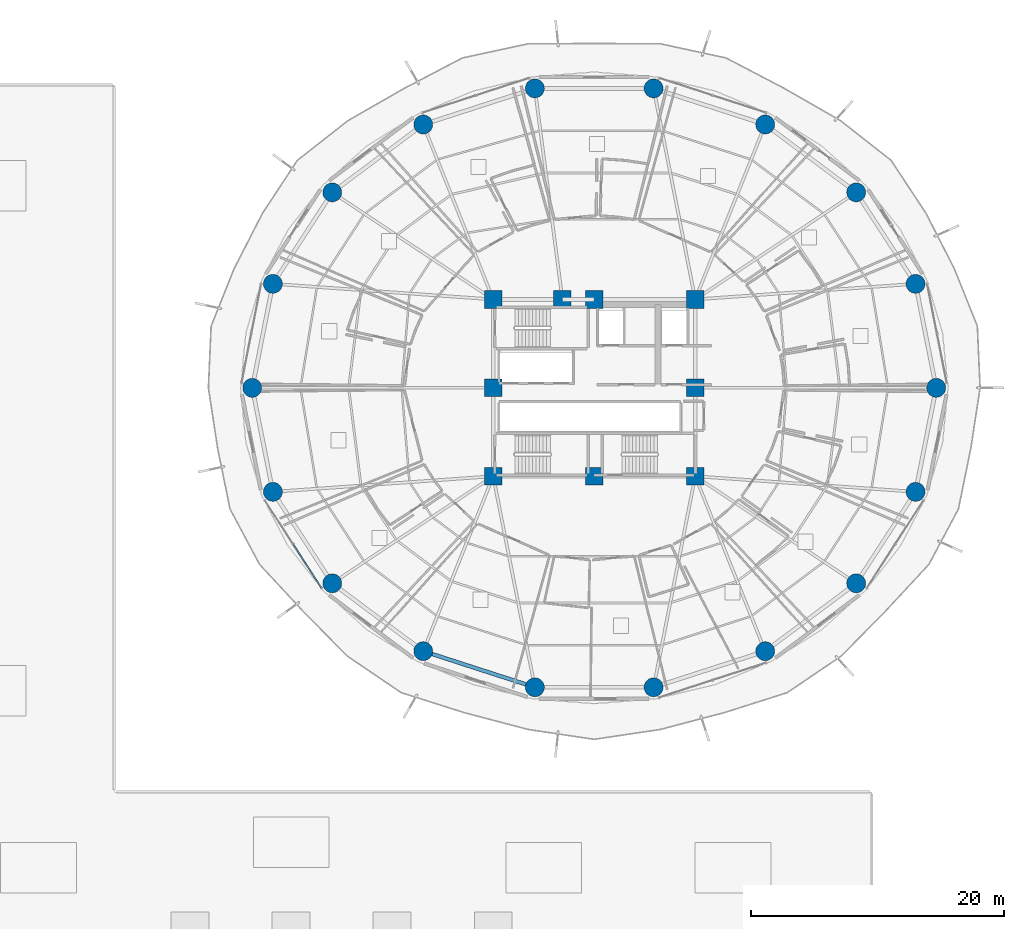
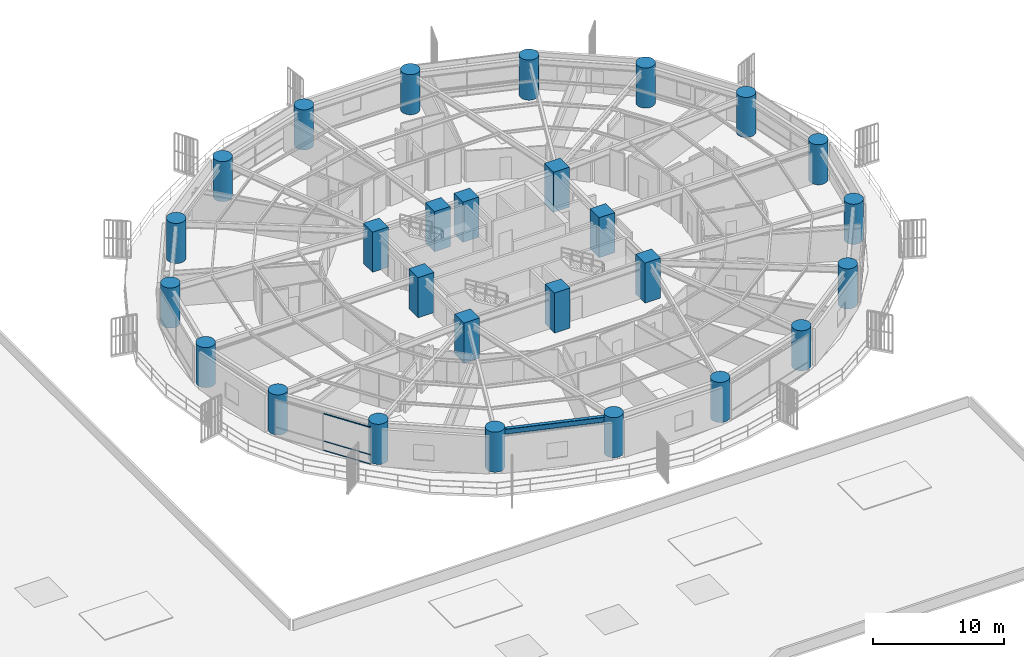
# One storey, part 1 of 35: 27 columns, 3 members, 1 beam, 1 element without a shape of its own.
"""IFC4 building model written with IfcOpenShell, lengths in metres."""

from ifc_helpers import new_model, si_unit, direction, frame, origin, origin_2d, place, context, subcontext, project, spatial, rectangle, hollow_rectangle, circle, i_section, extrude, material, layer, layer_set, material_profile, profile_set, type_object, element, aggregate, save


model = new_model("IFC4")

# Units and contexts
model_context = context("Model", 3, precision=1e-05, world=origin(), true_north=direction((0.0, 1.0)))
body_context = subcontext(model_context, "Body", "Model", "MODEL_VIEW")
ifc_project = project(units=[si_unit("LENGTHUNIT", "METRE"), si_unit("AREAUNIT", "SQUARE_METRE"), si_unit("VOLUMEUNIT", "CUBIC_METRE"), si_unit("PLANEANGLEUNIT", "RADIAN"), si_unit("MASSUNIT", "GRAM", prefix="KILO")], contexts=[model_context])

# Site, building, storey
site_placement = place(None, origin())
site = spatial("IfcSite", under=ifc_project, at=site_placement, CompositionType="ELEMENT")
building_placement = place(site_placement, origin())
building = spatial("IfcBuilding", under=site, at=building_placement, Name="Kelanora Arch Commons", CompositionType="ELEMENT")
storey_placement = place(building_placement, frame((0.0, 0.0, 22.5)))
storey = spatial("IfcBuildingStorey", under=building, at=storey_placement, Name="L05", CompositionType="ELEMENT", Elevation=22.5)

# Columns
ifc_material_1 = material(Name="Concrete C60/75", Category="concrete")
ifc_material_profile_1 = material_profile(ifc_material_1, circle(Radius=0.75, at=origin_2d()), Name="RCC1500")
ifc_profile_set_1 = profile_set([ifc_material_profile_1], Name="Concrete C60/75")
column_type_1 = type_object("IfcColumnType", Name="COL-PERIM-Z1", PredefinedType="COLUMN", material=ifc_profile_set_1)
for number, where, z_axis, x_axis, name in (
    (1, (101.080078125, 58.0, 0.0), (0.0, 0.0, 1.0), (1.0, 0.0, 0.0), "Perimeter Ring Column CP-00 L05"),
    (2, (99.447021484375, 66.23583984375, 0.0), (0.0, 0.0, 1.0), (1.0, 0.0, 0.0), "Perimeter Ring Column CP-02 L05"),
    (3, (94.744384765625, 73.478271484375, 0.0), (0.0, 0.0, 1.0), (1.0, 0.0, 0.0), "Perimeter Ring Column CP-04 L05"),
    (4, (87.5400390625, 78.85400390625, 0.0), (0.0, 0.0, 1.0), (1.0, 0.0, 0.0), "Perimeter Ring Column CP-06 L05"),
    (5, (78.702392578125, 81.714111328125, 0.0), (0.0, 0.0, 1.0), (1.0, 0.0, 0.0), "Perimeter Ring Column CP-08 L05"),
    (6, (69.297607421875, 81.714111328125, 0.0), (0.0, 0.0, 1.0), (1.0, 0.0, 0.0), "Perimeter Ring Column CP-10 L05"),
    (7, (60.4599609375, 78.85400390625, 0.0), (0.0, 0.0, 1.0), (1.0, 0.0, 0.0), "Perimeter Ring Column CP-12 L05"),
    (8, (53.255615234375, 73.478271484375, 0.0), (0.0, 0.0, 1.0), (1.0, 0.0, 0.0), "Perimeter Ring Column CP-14 L05"),
    (9, (48.552978515625, 66.23583984375, 0.0), (0.0, 0.0, 1.0), (1.0, 0.0, 0.0), "Perimeter Ring Column CP-16 L05"),
    (10, (46.919921875, 58.0, 0.0), (0.0, 0.0, 1.0), (1.0, 0.0, 0.0), "Perimeter Ring Column CP-18 L05"),
    (11, (48.552978515625, 49.76416015625, 0.0), (0.0, 0.0, 1.0), (1.0, 0.0, 0.0), "Perimeter Ring Column CP-20 L05"),
    (12, (53.255615234375, 42.521728515625, 0.0), (0.0, 0.0, 1.0), (1.0, 0.0, 0.0), "Perimeter Ring Column CP-22 L05"),
    (13, (60.4599609375, 37.14599609375, 0.0), (0.0, 0.0, 1.0), (1.0, 0.0, 0.0), "Perimeter Ring Column CP-24 L05"),
    (14, (69.297607421875, 34.285888671875, 0.0), (0.0, 0.0, 1.0), (1.0, 0.0, 0.0), "Perimeter Ring Column CP-26 L05"),
    (15, (78.702392578125, 34.285888671875, 0.0), (0.0, 0.0, 1.0), (1.0, 0.0, 0.0), "Perimeter Ring Column CP-28 L05"),
    (16, (87.5400390625, 37.14599609375, 0.0), (0.0, 0.0, 1.0), (1.0, 0.0, 0.0), "Perimeter Ring Column CP-30 L05"),
    (17, (94.744384765625, 42.521728515625, 0.0), (0.0, 0.0, 1.0), (1.0, 0.0, 0.0), "Perimeter Ring Column CP-32 L05"),
    (18, (99.447021484375, 49.76416015625, 0.0), (0.0, 0.0, 1.0), (1.0, 0.0, 0.0), "Perimeter Ring Column CP-34 L05"),
):
    element("IfcColumn", number, at=place(storey_placement, frame(where, z_axis=z_axis, x_axis=x_axis)), inside=storey, type_object=column_type_1, Name=name, PredefinedType="COLUMN", context=body_context, shape_type="SweptSolid", body=[
        extrude(circle(Radius=0.75, at=origin_2d()), origin(), (0.0, 0.0, 1.0), 3.75),
    ])
ifc_material_profile_2 = material_profile(ifc_material_1, rectangle(XDim=1.39990234375, YDim=1.39990234375, at=origin_2d()), Name="RC1400x1400")
ifc_profile_set_2 = profile_set([ifc_material_profile_2], Name="Concrete C60/75")
column_type_2 = type_object("IfcColumnType", Name="COL-PIL-LOW", PredefinedType="PILASTER", material=ifc_profile_set_2)
for number, where, z_axis, x_axis, name in (
    (19, (66.0, 51.0, 0.0), (0.0, 0.0, 1.0), (1.0, 0.0, 0.0), "Core Pilaster Column CP1 L05"),
    (20, (74.0, 51.0, 0.0), (0.0, 0.0, 1.0), (1.0, 0.0, 0.0), "Core Pilaster Column CP2 L05"),
    (21, (82.0, 51.0, 0.0), (0.0, 0.0, 1.0), (1.0, 0.0, 0.0), "Core Pilaster Column CP3 L05"),
    (22, (82.0, 58.0, 0.0), (0.0, 0.0, 1.0), (1.0, 0.0, 0.0), "Core Pilaster Column CP4 L05"),
    (23, (82.0, 65.0, 0.0), (0.0, 0.0, 1.0), (1.0, 0.0, 0.0), "Core Pilaster Column CP5 L05"),
    (24, (74.0, 65.0, 0.0), (0.0, 0.0, 1.0), (1.0, 0.0, 0.0), "Core Pilaster Column CP6 L05"),
    (25, (71.47998046875, 65.0, 0.0), (0.0, 0.0, 1.0), (1.0, 0.0, 0.0), "Core Pilaster Column CP9 L05"),
    (26, (66.0, 65.0, 0.0), (0.0, 0.0, 1.0), (1.0, 0.0, 0.0), "Core Pilaster Column CP7 L05"),
    (27, (66.0, 58.0, 0.0), (0.0, 0.0, 1.0), (1.0, 0.0, 0.0), "Core Pilaster Column CP8 L05"),
):
    element("IfcColumn", number, at=place(storey_placement, frame(where, z_axis=z_axis, x_axis=x_axis)), inside=storey, type_object=column_type_2, Name=name, PredefinedType="PILASTER", context=body_context, shape_type="SweptSolid", body=[
        extrude(rectangle(XDim=1.39990234375, YDim=1.39990234375, at=origin_2d()), origin(), (0.0, 0.0, 1.0), 3.75),
    ])

# Beam
ifc_material_2 = material(Name="Steel S355", Category="steel")
ifc_material_profile_3 = material_profile(ifc_material_2, i_section(OverallWidth=0.300048828125, OverallDepth=0.60009765625, WebThickness=0.015380859375, FlangeThickness=0.030029296875, FilletRadius=0.027099609375, at=origin_2d()), Name="HEB600")
ifc_profile_set_3 = profile_set([ifc_material_profile_3], Name="Steel S355")
beam_type = type_object("IfcBeamType", Name="BM-SPN-Z1", PredefinedType="SPANDREL", material=ifc_profile_set_3)
beam_placement = place(storey_placement, frame((60.669189453125, 37.078369140625, 3.18994140625), z_axis=(0.951411479564, -0.307922387224, 0.0), x_axis=(0.307922387224, 0.951411479564, 0.0)))
element("IfcBeam", 28, at=beam_placement, inside=storey, type_object=beam_type, Name="Perimeter Spandrel Beam BS-24 L05", PredefinedType="SPANDREL", context=body_context, shape_type="SweptSolid", body=[
    extrude(i_section(OverallWidth=0.300048828125, OverallDepth=0.60009765625, WebThickness=0.015380859375, FlangeThickness=0.030029296875, FilletRadius=0.027099609375, at=origin_2d()), origin(), (0.0, 0.0, 1.0), 8.84912109375),
])

# Curtain wall, members
ifc_material_3 = material(Name="Terracotta ceramic-fritted low-E glass and aluminium", Category="masonry")
ifc_layer = layer(ifc_material_3, 0.159912109375)
ifc_layer_set = layer_set([ifc_layer], Name="Terracotta ceramic-fritted low-E glass and aluminium")
curtain_wall_type = type_object("IfcCurtainWallType", Name="CW-SYS-01", PredefinedType="NOTDEFINED", material=ifc_layer_set)
curtain_wall_placement = place(storey_placement, origin())
curtain_wall = element("IfcCurtainWall", 29, at=curtain_wall_placement, inside=storey, type_object=curtain_wall_type, Name="Unitised Curtain Wall L05-B10", PredefinedType="NOTDEFINED")
ifc_material_4 = material(Name="Powder-coated aluminium terracotta", Category="masonry")
ifc_material_profile_4 = material_profile(ifc_material_4, hollow_rectangle(XDim=0.1201171875, YDim=0.06005859375, WallThickness=0.0048828125, InnerFilletRadius=0.0048828125, OuterFilletRadius=0.010009765625, at=origin_2d()), Name="CWT120x60")
ifc_profile_set_4 = profile_set([ifc_material_profile_4], Name="Powder-coated aluminium terracotta")
member_type = type_object("IfcMemberType", Name="CWT-STD", PredefinedType="USERDEFINED", material=ifc_profile_set_4)
member_1_placement = place(storey_placement, frame((50.185546875, 45.588134765625, 0.030029296875), z_axis=(0.542997414293, -0.839734367566, 0.0), x_axis=(0.839734367566, 0.542997414293, 0.0)))
member_1 = element("IfcMember", 30, at=member_1_placement, type_object=member_type, Name="CW-01 transom 2.1", ObjectType="TRANSOM", PredefinedType="USERDEFINED", context=body_context, shape_type="SweptSolid", body=[
    extrude(hollow_rectangle(XDim=0.1201171875, YDim=0.06005859375, WallThickness=0.0048828125, InnerFilletRadius=0.0048828125, OuterFilletRadius=0.010009765625, at=origin_2d()), origin(), (0.0, 0.0, 1.0), 4.067626953125),
])
member_2_placement = place(storey_placement, frame((50.185546875, 45.588134765625, 0.89990234375), z_axis=(0.542997414293, -0.839734367566, 0.0), x_axis=(0.839734367566, 0.542997414293, 0.0)))
member_2 = element("IfcMember", 31, at=member_2_placement, type_object=member_type, Name="CW-01 transom 2.2", ObjectType="TRANSOM", PredefinedType="USERDEFINED", context=body_context, shape_type="SweptSolid", body=[
    extrude(hollow_rectangle(XDim=0.1201171875, YDim=0.06005859375, WallThickness=0.0048828125, InnerFilletRadius=0.0048828125, OuterFilletRadius=0.010009765625, at=origin_2d()), origin(), (0.0, 0.0, 1.0), 4.067626953125),
])
member_3_placement = place(storey_placement, frame((50.185546875, 45.588134765625, 3.445068359375), z_axis=(0.542997414293, -0.839734367566, 0.0), x_axis=(0.839734367566, 0.542997414293, 0.0)))
member_3 = element("IfcMember", 32, at=member_3_placement, type_object=member_type, Name="CW-01 transom 2.3", ObjectType="TRANSOM", PredefinedType="USERDEFINED", context=body_context, shape_type="SweptSolid", body=[
    extrude(hollow_rectangle(XDim=0.1201171875, YDim=0.06005859375, WallThickness=0.0048828125, InnerFilletRadius=0.0048828125, OuterFilletRadius=0.010009765625, at=origin_2d()), origin(), (0.0, 0.0, 1.0), 4.067626953125),
])
aggregate(curtain_wall, [member_1, member_2, member_3])

save(model, "model.ifc")
